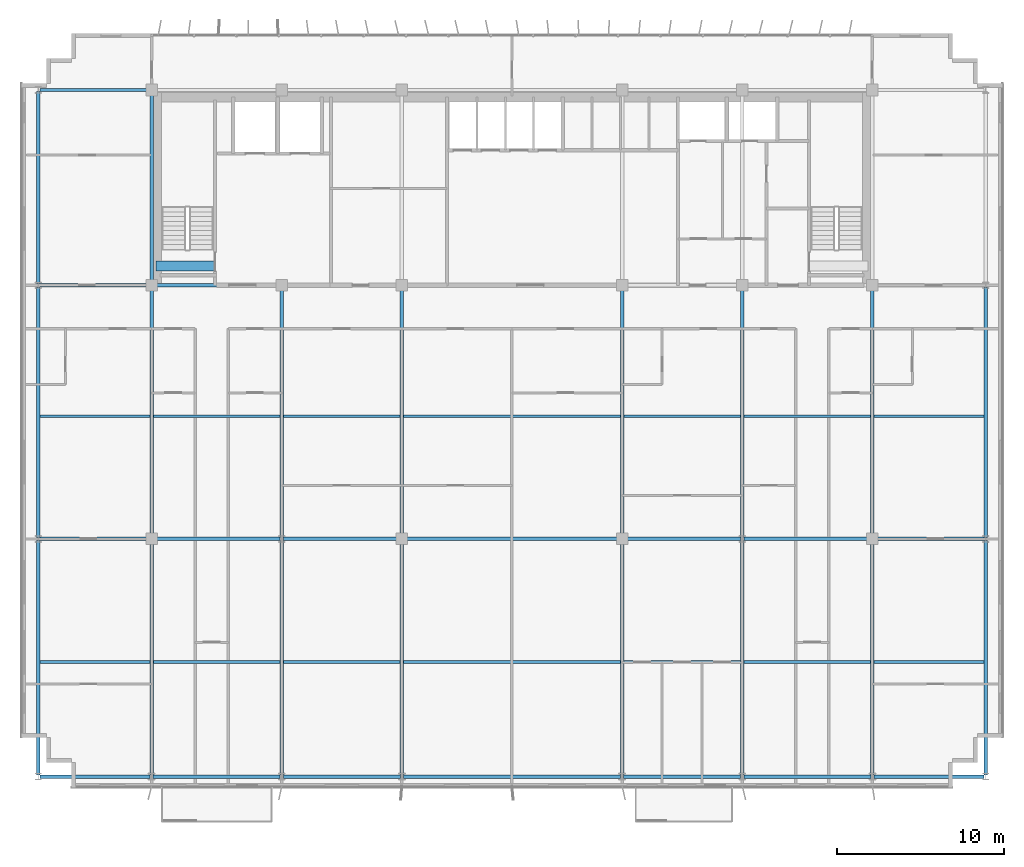
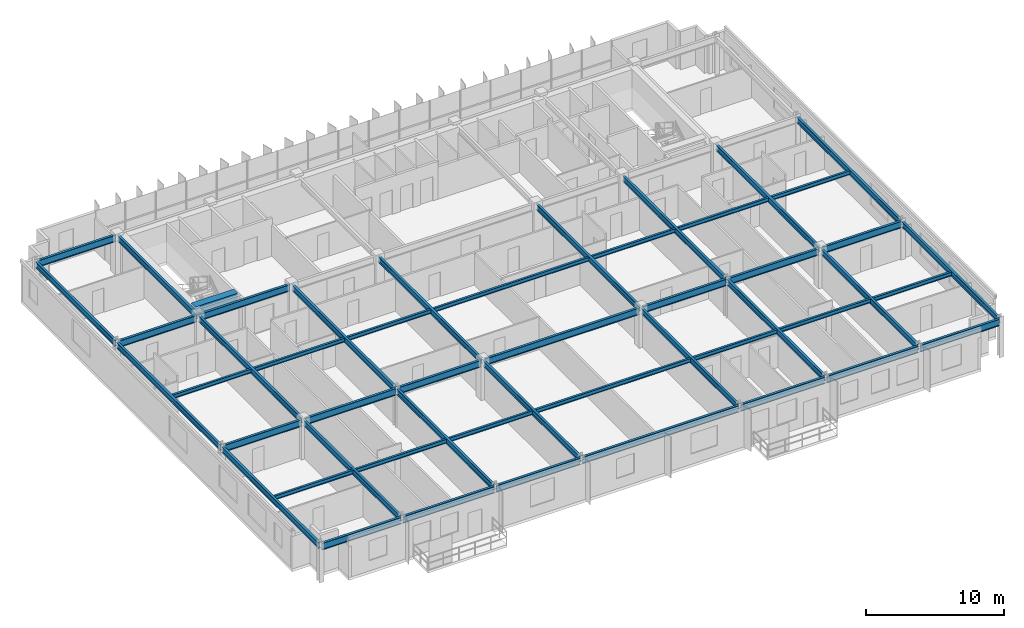
# One storey, part 3 of 20: 50 beams.
"""IFC4 building model written with IfcOpenShell, lengths in metres."""

import ifcopenshell
import ifcopenshell.guid

model = None  # the IFC model being written
_history = None  # IfcOwnerHistory: only IFC2X3 demands one
_inside = {}  # id of a spatial element -> (the spatial element, [elements in it])
_under = {}  # id of a project, library or spatial element -> (it, [spatial elements below it])
_declared = {}  # id of a project -> (the project, [libraries it declares])
_typed = {}  # id of a type object -> (the type object, [elements of that type])
_made_of = {}  # id of a material, layer set ... -> (it, [elements and type objects made of it])


def new_model(schema):
    """Start an empty IFC model of exactly this schema.

    Asked for "IFC4X3", IfcOpenShell would pick the latest addendum, in which some entities
    have other attributes; the version numbers below select the first issue.
    IFC2X3 requires an IfcOwnerHistory on every rooted entity: one is made here for all.
    """
    global model, _history
    if schema == "IFC4X3":
        model = ifcopenshell.file(schema_version=(4, 3, 0, 0))
    else:
        model = ifcopenshell.file(schema=schema)
    _inside.clear()
    _under.clear()
    _declared.clear()
    _typed.clear()
    _made_of.clear()
    _history = None
    if model.schema == "IFC2X3":
        org = make("IfcOrganization", Name="unknown")
        user = make(
            "IfcPersonAndOrganization",
            ThePerson=make("IfcPerson", FamilyName="unknown"),
            TheOrganization=org,
        )
        app = make(
            "IfcApplication",
            ApplicationDeveloper=org,
            Version="unknown",
            ApplicationFullName="unknown",
            ApplicationIdentifier="unknown",
        )
        _history = make(
            "IfcOwnerHistory",
            OwningUser=user,
            OwningApplication=app,
            ChangeAction="ADDED",
            CreationDate=0,
        )
    return model


def make(cls, **values):
    """One entity of the class cls with the attributes given. An attribute that is None is left unset."""
    return model.create_entity(
        cls, **{name: value for name, value in values.items() if value is not None}
    )


def rooted(cls, **values):
    """An entity with a GlobalId (a new one), such as an element, a storey or a relation."""
    return make(cls, GlobalId=ifcopenshell.guid.new(), OwnerHistory=_history, **values)


def si_unit(unit_type, name, prefix=None):
    """IfcSIUnit, for example si_unit("LENGTHUNIT", "METRE", prefix="MILLI")."""
    return make("IfcSIUnit", UnitType=unit_type, Prefix=prefix, Name=name)


def assignment(units):
    """IfcUnitAssignment: the units of a project."""
    return None if units is None else make("IfcUnitAssignment", Units=units)


def point(xyz):
    """IfcCartesianPoint."""
    return None if xyz is None else make("IfcCartesianPoint", Coordinates=xyz)


def direction(xyz):
    """IfcDirection."""
    return None if xyz is None else make("IfcDirection", DirectionRatios=xyz)


def frame(location, z_axis=None, x_axis=None):
    """IfcAxis2Placement3D, a coordinate frame: its origin and axes. An axis left out is left unset."""
    return make(
        "IfcAxis2Placement3D",
        Location=point(location),
        Axis=direction(z_axis),
        RefDirection=direction(x_axis),
    )


def frame_2d(location, x_axis=None):
    """IfcAxis2Placement2D, a coordinate frame in the plane: its origin and x axis."""
    return make(
        "IfcAxis2Placement2D", Location=point(location), RefDirection=direction(x_axis)
    )


def origin():
    """The frame at (0, 0, 0) with its axes left unset."""
    return frame((0.0, 0.0, 0.0))


def origin_2d():
    """The frame at (0, 0) in the plane with its x axis left unset."""
    return frame_2d((0.0, 0.0))


def place(relative_to, where):
    """IfcLocalPlacement: puts the frame where relative to a parent placement (None: the world)."""
    return make(
        "IfcLocalPlacement", PlacementRelTo=relative_to, RelativePlacement=where
    )


def context(
    kind, dimensions, precision=None, world=None, true_north=None, identifier=None
):
    """IfcGeometricRepresentationContext, for example the 3D "Model" context."""
    return make(
        "IfcGeometricRepresentationContext",
        ContextIdentifier=identifier,
        ContextType=kind,
        CoordinateSpaceDimension=dimensions,
        Precision=precision,
        WorldCoordinateSystem=world,
        TrueNorth=true_north,
    )


def subcontext(parent, identifier, kind, view, scale=None):
    """IfcGeometricRepresentationSubContext, for example "Body" below "Model"."""
    return make(
        "IfcGeometricRepresentationSubContext",
        ContextIdentifier=identifier,
        ContextType=kind,
        ParentContext=parent,
        TargetScale=scale,
        TargetView=view,
    )


def project(units=None, contexts=None):
    """IfcProject with its units and contexts."""
    return rooted(
        "IfcProject",
        Name="project",
        RepresentationContexts=contexts,
        UnitsInContext=assignment(units),
    )


def spatial(cls, under=None, at=None, **own):
    """A site, building, storey or space (cls), placed at a placement, below another one or the project."""
    s = rooted(cls, ObjectPlacement=at, **own)
    if under is not None:
        _under.setdefault(under.id(), (under, []))[1].append(s)
    return s


def profile(cls, at=None, kind="AREA", **sizes):
    """A parametric profile (cls). Its sizes go by their IFC names, for example OverallWidth=200.0."""
    return make(cls, ProfileType=kind, Position=at, **sizes)


def rectangle(**sizes):
    """IfcRectangleProfileDef."""
    return profile("IfcRectangleProfileDef", **sizes)


def i_section(**sizes):
    """IfcIShapeProfileDef."""
    return profile("IfcIShapeProfileDef", **sizes)


def extrude(swept, where, along, depth):
    """IfcExtrudedAreaSolid: the profile swept, set in the frame where, extruded along a direction by depth."""
    return make(
        "IfcExtrudedAreaSolid",
        SweptArea=swept,
        Position=where,
        ExtrudedDirection=direction(along),
        Depth=depth,
    )


def shape(context_of_items, identifier, shape_type, items):
    """IfcShapeRepresentation: the items that make up one representation, for example the "Body"."""
    return make(
        "IfcShapeRepresentation",
        ContextOfItems=context_of_items,
        RepresentationIdentifier=identifier,
        RepresentationType=shape_type,
        Items=items,
    )


def source(mapping_origin, context_of_items, identifier, shape_type, items):
    """IfcRepresentationMap: a shape defined once, which mapped items show again and again."""
    return make(
        "IfcRepresentationMap",
        MappingOrigin=mapping_origin,
        MappedRepresentation=shape(context_of_items, identifier, shape_type, items),
    )


def transform(
    local_origin,
    x_axis=None,
    y_axis=None,
    z_axis=None,
    scale=None,
    scale2=None,
    scale3=None,
    uniform=True,
):
    """IfcCartesianTransformationOperator3D, or its non-uniform kind. x_axis, y_axis, z_axis: its Axis1, 2, 3."""
    if uniform:
        return make(
            "IfcCartesianTransformationOperator3D",
            Axis1=direction(x_axis),
            Axis2=direction(y_axis),
            LocalOrigin=point(local_origin),
            Scale=scale,
            Axis3=direction(z_axis),
        )
    return make(
        "IfcCartesianTransformationOperator3DnonUniform",
        Axis1=direction(x_axis),
        Axis2=direction(y_axis),
        LocalOrigin=point(local_origin),
        Scale=scale,
        Axis3=direction(z_axis),
        Scale2=scale2,
        Scale3=scale3,
    )


def mapped(mapping_source, mapping_target):
    """IfcMappedItem: shows the shape of a source again, moved by a transform."""
    return make(
        "IfcMappedItem", MappingSource=mapping_source, MappingTarget=mapping_target
    )


def material(Name=None, Category=None):
    """IfcMaterial."""
    return make("IfcMaterial", Name=Name, Category=Category)


def material_profile(
    of_material, cross_section, Name=None, Category=None, Priority=None
):
    """IfcMaterialProfile: a cross section and its material."""
    return make(
        "IfcMaterialProfile",
        Name=Name,
        Material=of_material,
        Profile=cross_section,
        Priority=Priority,
        Category=Category,
    )


def profile_set(profiles, Name=None, composite=None):
    """IfcMaterialProfileSet."""
    return make(
        "IfcMaterialProfileSet",
        Name=Name,
        MaterialProfiles=profiles,
        CompositeProfile=composite,
    )


def made_of(thing, what):
    """Note that an element or type object is made of a material, layer set ...; save() writes the relation."""
    if what is not None:
        _made_of.setdefault(what.id(), (what, []))[1].append(thing)
    return thing


def type_object(cls, material=None, **own):
    """A type object (cls), such as IfcWallType, which elements share."""
    return made_of(rooted(cls, **own), material)


def element(
    cls,
    number,
    at=None,
    inside=None,
    cuts=None,
    type_object=None,
    material=None,
    context=None,
    identifier="Body",
    shape_type=None,
    held_by="IfcProductDefinitionShape",
    body=None,
    shapes=None,
    **own,
):
    """One element of the class cls, such as IfcWall. Its Tag is "e" and its number.

    at: its placement. inside: the storey or other place that contains it. cuts: it is an
    opening in that element (IfcRelVoidsElement). A single representation is given by context,
    identifier, shape_type and body (its items); several are given by shapes. held_by: the class
    of the entity that holds the representations. save() writes the other relations.
    """
    e = rooted(cls, Tag="e%d" % number, ObjectPlacement=at, **own)
    if body is not None:
        shapes = [shape(context, identifier, shape_type, body)]
    if shapes is not None:
        e.Representation = make(held_by, Representations=shapes)
    if inside is not None:
        _inside.setdefault(inside.id(), (inside, []))[1].append(e)
    if cuts is not None:
        rooted(
            "IfcRelVoidsElement", RelatingBuildingElement=cuts, RelatedOpeningElement=e
        )
    if type_object is not None:
        _typed.setdefault(type_object.id(), (type_object, []))[1].append(e)
    return made_of(e, material)


def aggregate(whole, parts):
    """IfcRelAggregates: a whole, such as a stair, and the parts it consists of."""
    return rooted("IfcRelAggregates", RelatingObject=whole, RelatedObjects=parts)


def save(model, path):
    """Write the relations noted so far, then the file.

    IfcRelAggregates (storeys below a building ...), IfcRelContainedInSpatialStructure (elements
    in a storey), IfcRelDefinesByType, IfcRelAssociatesMaterial and IfcRelDeclares: one each for
    every whole, place, type object, material and project.
    """
    for whole, parts in _under.values():
        aggregate(whole, parts)
    for where, things in _inside.values():
        rooted(
            "IfcRelContainedInSpatialStructure",
            RelatedElements=things,
            RelatingStructure=where,
        )
    for kind, things in _typed.values():
        rooted("IfcRelDefinesByType", RelatedObjects=things, RelatingType=kind)
    for what, things in _made_of.values():
        rooted("IfcRelAssociatesMaterial", RelatedObjects=things, RelatingMaterial=what)
    for by, libraries in _declared.values():
        rooted("IfcRelDeclares", RelatingContext=by, RelatedDefinitions=libraries)
    model.write(path)


model = new_model("IFC4")

# Units and contexts
model_context = context("Model", 3, precision=1e-05, world=origin(), true_north=direction((0.0, 1.0)))
body_context = subcontext(model_context, "Body", "Model", "MODEL_VIEW")
ifc_project = project(units=[si_unit("LENGTHUNIT", "METRE"), si_unit("AREAUNIT", "SQUARE_METRE"), si_unit("VOLUMEUNIT", "CUBIC_METRE"), si_unit("PLANEANGLEUNIT", "RADIAN"), si_unit("MASSUNIT", "GRAM", prefix="KILO")], contexts=[model_context])

# Site, building, storey
site_placement = place(None, origin())
site = spatial("IfcSite", under=ifc_project, at=site_placement, CompositionType="ELEMENT")
building_placement = place(site_placement, origin())
building = spatial("IfcBuilding", under=site, at=building_placement, Name="Trelvane Seafront Commons", CompositionType="ELEMENT")
storey_placement = place(building_placement, frame((0.0, 0.0, 168.10009765625)))
storey = spatial("IfcBuildingStorey", under=building, at=storey_placement, Name="L44", CompositionType="ELEMENT", Elevation=168.10009765625)

# Beams
ifc_material_1 = material(Name="Concrete C60/75", Category="concrete")
ifc_material_profile_1 = material_profile(ifc_material_1, rectangle(XDim=0.60009765625, YDim=0.89990234375, at=origin_2d()), Name="RC-600x900")
ifc_profile_set_1 = profile_set([ifc_material_profile_1], Name="Concrete C60/75")
beam_type_1 = type_object("IfcBeamType", Name="STR-LNT-RC600x900", PredefinedType="LINTEL", material=ifc_profile_set_1)
shared_shape_1 = source(origin(), body_context, "Body", "SweptSolid", [
    extrude(rectangle(XDim=0.60009765625, YDim=0.89990234375, at=origin_2d()), origin(), (0.0, 0.0, 1.0), 3.5498046875),
])
beam_1_placement = place(storey_placement, frame((15.85009765625, 34.550048828125, 2.89990234375), z_axis=(1.0, 0.0, 0.0), x_axis=(0.0, 1.0, 0.0)))
element("IfcBeam", 1, at=beam_1_placement, inside=storey, type_object=beam_type_1, Name="L44 Core Coupling Lintel Beam CB-67", PredefinedType="LINTEL", context=body_context, shape_type="MappedRepresentation", body=[
    mapped(shared_shape_1, transform((0.0, 0.0, 0.0), x_axis=(1.0, 0.0, 0.0), y_axis=(0.0, 1.0, 0.0), z_axis=(0.0, 0.0, 1.0), scale=1.0)),
])
ifc_material_2 = material(Name="Steel SM355 (S355)", Category="steel")
ifc_material_profile_2 = material_profile(ifc_material_2, i_section(OverallWidth=0.199951171875, OverallDepth=0.5, WebThickness=0.010009765625, FlangeThickness=0.01611328125, at=origin_2d()), Name="H-500x200x10x16")
ifc_profile_set_2 = profile_set([ifc_material_profile_2], Name="Steel SM355 (S355)")
beam_type_2 = type_object("IfcBeamType", Name="STR-BM-H500", PredefinedType="BEAM", material=ifc_profile_set_2)
shared_shape_2 = source(origin(), body_context, "Body", "SweptSolid", [
    extrude(i_section(OverallWidth=0.199951171875, OverallDepth=0.5, WebThickness=0.010009765625, FlangeThickness=0.01611328125, at=origin_2d()), origin(), (0.0, 0.0, 1.0), 14.89990234375),
])
for number, where, z_axis, x_axis, name in (
    (2, (15.60009765625, 18.35009765625, 3.099853515625), (0.0, 1.0, 0.0), (-1.0, 0.0, 0.0), "L44 Primary Girder G-33"),
    (3, (30.60009765625, 18.35009765625, 3.099853515625), (0.0, 1.0, 0.0), (-1.0, 0.0, 0.0), "L44 Primary Girder G-39"),
    (4, (43.800048828125, 18.35009765625, 3.099853515625), (0.0, 1.0, 0.0), (-1.0, 0.0, 0.0), "L44 Primary Girder G-42"),
    (5, (58.800048828125, 18.35009765625, 3.099853515625), (0.0, 1.0, 0.0), (-1.0, 0.0, 0.0), "L44 Primary Girder G-48"),
):
    element("IfcBeam", number, at=place(storey_placement, frame(where, z_axis=z_axis, x_axis=x_axis)), inside=storey, type_object=beam_type_2, Name=name, PredefinedType="BEAM", context=body_context, shape_type="MappedRepresentation", body=[
        mapped(shared_shape_2, transform((0.0, 0.0, 0.0), x_axis=(1.0, 0.0, 0.0), y_axis=(0.0, 1.0, 0.0), z_axis=(0.0, 0.0, 1.0), scale=1.0)),
    ])
shared_shape_3 = source(origin(), body_context, "Body", "SweptSolid", [
    extrude(i_section(OverallWidth=0.199951171875, OverallDepth=0.5, WebThickness=0.010009765625, FlangeThickness=0.01611328125, at=origin_2d()), origin(), (0.0, 0.0, 1.0), 11.39990234375),
])
beam_2_placement = place(storey_placement, frame((15.60009765625, 33.550048828125, 3.099853515625), z_axis=(0.0, 1.0, 0.0), x_axis=(-1.0, 0.0, 0.0)))
element("IfcBeam", 6, at=beam_2_placement, inside=storey, type_object=beam_type_2, Name="L44 Primary Girder G-34", PredefinedType="BEAM", context=body_context, shape_type="MappedRepresentation", body=[
    mapped(shared_shape_3, transform((0.0, 0.0, 0.0), x_axis=(1.0, 0.0, 0.0), y_axis=(0.0, 1.0, 0.0), z_axis=(0.0, 0.0, 1.0), scale=1.0)),
])
ifc_material_profile_3 = material_profile(ifc_material_2, i_section(OverallWidth=0.175048828125, OverallDepth=0.35009765625, WebThickness=0.007080078125, FlangeThickness=0.010986328125, at=origin_2d()), Name="H-350x175x7x11")
ifc_profile_set_3 = profile_set([ifc_material_profile_3], Name="Steel SM355 (S355)")
beam_type_3 = type_object("IfcBeamType", Name="STR-JST-H350", PredefinedType="JOIST", material=ifc_profile_set_3)
shared_shape_4 = source(origin(), body_context, "Body", "SweptSolid", [
    extrude(i_section(OverallWidth=0.175048828125, OverallDepth=0.35009765625, WebThickness=0.007080078125, FlangeThickness=0.010986328125, at=origin_2d()), origin(), (0.0, 0.0, 1.0), 6.60009765625),
])
for number, where, z_axis, x_axis, name in (
    (7, (8.89990234375, 10.824951171875, 3.1748046875), (1.0, 0.0, 0.0), (0.0, 1.0, 0.0), "L44 Secondary Floor Joist B-53"),
    (8, (58.89990234375, 10.824951171875, 3.1748046875), (1.0, 0.0, 0.0), (0.0, 1.0, 0.0), "L44 Secondary Floor Joist B-59"),
    (9, (8.89990234375, 25.550048828125, 3.1748046875), (1.0, 0.0, 0.0), (0.0, 1.0, 0.0), "L44 Secondary Floor Joist B-60"),
    (10, (58.89990234375, 25.550048828125, 3.1748046875), (1.0, 0.0, 0.0), (0.0, 1.0, 0.0), "L44 Secondary Floor Joist B-66"),
):
    element("IfcBeam", number, at=place(storey_placement, frame(where, z_axis=z_axis, x_axis=x_axis)), inside=storey, type_object=beam_type_3, Name=name, PredefinedType="JOIST", context=body_context, shape_type="MappedRepresentation", body=[
        mapped(shared_shape_4, transform((0.0, 0.0, 0.0), x_axis=(1.0, 0.0, 0.0), y_axis=(0.0, 1.0, 0.0), z_axis=(0.0, 0.0, 1.0), scale=1.0)),
    ])
shared_shape_5 = source(origin(), body_context, "Body", "SweptSolid", [
    extrude(i_section(OverallWidth=0.175048828125, OverallDepth=0.35009765625, WebThickness=0.007080078125, FlangeThickness=0.010986328125, at=origin_2d()), origin(), (0.0, 0.0, 1.0), 7.60009765625),
])
for number, where, z_axis, x_axis, name in (
    (11, (15.699951171875, 10.824951171875, 3.1748046875), (1.0, 0.0, 0.0), (0.0, 1.0, 0.0), "L44 Secondary Floor Joist B-54"),
    (12, (15.699951171875, 25.550048828125, 3.1748046875), (1.0, 0.0, 0.0), (0.0, 1.0, 0.0), "L44 Secondary Floor Joist B-61"),
):
    element("IfcBeam", number, at=place(storey_placement, frame(where, z_axis=z_axis, x_axis=x_axis)), inside=storey, type_object=beam_type_3, Name=name, PredefinedType="JOIST", context=body_context, shape_type="MappedRepresentation", body=[
        mapped(shared_shape_5, transform((0.0, 0.0, 0.0), x_axis=(1.0, 0.0, 0.0), y_axis=(0.0, 1.0, 0.0), z_axis=(0.0, 0.0, 1.0), scale=1.0)),
    ])
shared_shape_6 = source(origin(), body_context, "Body", "SweptSolid", [
    extrude(i_section(OverallWidth=0.175048828125, OverallDepth=0.35009765625, WebThickness=0.007080078125, FlangeThickness=0.010986328125, at=origin_2d()), origin(), (0.0, 0.0, 1.0), 7.0),
])
for number, where, z_axis, x_axis, name in (
    (13, (23.5, 10.824951171875, 3.1748046875), (1.0, 0.0, 0.0), (0.0, 1.0, 0.0), "L44 Secondary Floor Joist B-55"),
    (14, (43.89990234375, 10.824951171875, 3.1748046875), (1.0, 0.0, 0.0), (0.0, 1.0, 0.0), "L44 Secondary Floor Joist B-57"),
    (15, (23.5, 25.550048828125, 3.1748046875), (1.0, 0.0, 0.0), (0.0, 1.0, 0.0), "L44 Secondary Floor Joist B-62"),
    (16, (43.89990234375, 25.550048828125, 3.1748046875), (1.0, 0.0, 0.0), (0.0, 1.0, 0.0), "L44 Secondary Floor Joist B-64"),
):
    element("IfcBeam", number, at=place(storey_placement, frame(where, z_axis=z_axis, x_axis=x_axis)), inside=storey, type_object=beam_type_3, Name=name, PredefinedType="JOIST", context=body_context, shape_type="MappedRepresentation", body=[
        mapped(shared_shape_6, transform((0.0, 0.0, 0.0), x_axis=(1.0, 0.0, 0.0), y_axis=(0.0, 1.0, 0.0), z_axis=(0.0, 0.0, 1.0), scale=1.0)),
    ])
shared_shape_7 = source(origin(), body_context, "Body", "SweptSolid", [
    extrude(i_section(OverallWidth=0.175048828125, OverallDepth=0.35009765625, WebThickness=0.007080078125, FlangeThickness=0.010986328125, at=origin_2d()), origin(), (0.0, 0.0, 1.0), 13.0),
])
for number, where, z_axis, x_axis, name in (
    (17, (30.699951171875, 10.824951171875, 3.1748046875), (1.0, 0.0, 0.0), (0.0, 1.0, 0.0), "L44 Secondary Floor Joist B-56"),
    (18, (30.699951171875, 25.550048828125, 3.1748046875), (1.0, 0.0, 0.0), (0.0, 1.0, 0.0), "L44 Secondary Floor Joist B-63"),
):
    element("IfcBeam", number, at=place(storey_placement, frame(where, z_axis=z_axis, x_axis=x_axis)), inside=storey, type_object=beam_type_3, Name=name, PredefinedType="JOIST", context=body_context, shape_type="MappedRepresentation", body=[
        mapped(shared_shape_7, transform((0.0, 0.0, 0.0), x_axis=(1.0, 0.0, 0.0), y_axis=(0.0, 1.0, 0.0), z_axis=(0.0, 0.0, 1.0), scale=1.0)),
    ])
shared_shape_8 = source(origin(), body_context, "Body", "SweptSolid", [
    extrude(i_section(OverallWidth=0.175048828125, OverallDepth=0.35009765625, WebThickness=0.007080078125, FlangeThickness=0.010986328125, at=origin_2d()), origin(), (0.0, 0.0, 1.0), 7.599853515625),
])
for number, where, z_axis, x_axis, name in (
    (19, (51.10009765625, 10.824951171875, 3.1748046875), (1.0, 0.0, 0.0), (0.0, 1.0, 0.0), "L44 Secondary Floor Joist B-58"),
    (20, (51.10009765625, 25.550048828125, 3.1748046875), (1.0, 0.0, 0.0), (0.0, 1.0, 0.0), "L44 Secondary Floor Joist B-65"),
):
    element("IfcBeam", number, at=place(storey_placement, frame(where, z_axis=z_axis, x_axis=x_axis)), inside=storey, type_object=beam_type_3, Name=name, PredefinedType="JOIST", context=body_context, shape_type="MappedRepresentation", body=[
        mapped(shared_shape_8, transform((0.0, 0.0, 0.0), x_axis=(1.0, 0.0, 0.0), y_axis=(0.0, 1.0, 0.0), z_axis=(0.0, 0.0, 1.0), scale=1.0)),
    ])
ifc_material_profile_4 = material_profile(ifc_material_2, i_section(OverallWidth=0.199951171875, OverallDepth=0.60009765625, WebThickness=0.010986328125, FlangeThickness=0.01708984375, at=origin_2d()), Name="H-600x200x11x17")
ifc_profile_set_4 = profile_set([ifc_material_profile_4], Name="Steel SM355 (S355)")
beam_type_4 = type_object("IfcBeamType", Name="STR-SPD-H600", PredefinedType="SPANDREL", material=ifc_profile_set_4)
shared_shape_9 = source(origin(), body_context, "Body", "SweptSolid", [
    extrude(i_section(OverallWidth=0.199951171875, OverallDepth=0.60009765625, WebThickness=0.010986328125, FlangeThickness=0.01708984375, at=origin_2d()), origin(), (0.0, 0.0, 1.0), 6.60986328125),
])
for number, where, z_axis, x_axis, name in (
    (21, (8.89501953125, 3.949951171875, 3.0498046875), (1.0, 0.0, 0.0), (0.0, 1.0, 0.0), "L44 Primary Girder G-01"),
    (22, (58.89501953125, 3.949951171875, 3.0498046875), (1.0, 0.0, 0.0), (0.0, 1.0, 0.0), "L44 Primary Girder G-07"),
):
    element("IfcBeam", number, at=place(storey_placement, frame(where, z_axis=z_axis, x_axis=x_axis)), inside=storey, type_object=beam_type_4, Name=name, PredefinedType="SPANDREL", context=body_context, shape_type="MappedRepresentation", body=[
        mapped(shared_shape_9, transform((0.0, 0.0, 0.0), x_axis=(1.0, 0.0, 0.0), y_axis=(0.0, 1.0, 0.0), z_axis=(0.0, 0.0, 1.0), scale=1.0)),
    ])
shared_shape_10 = source(origin(), body_context, "Body", "SweptSolid", [
    extrude(i_section(OverallWidth=0.199951171875, OverallDepth=0.60009765625, WebThickness=0.010986328125, FlangeThickness=0.01708984375, at=origin_2d()), origin(), (0.0, 0.0, 1.0), 7.60986328125),
])
beam_3_placement = place(storey_placement, frame((15.695068359375, 3.949951171875, 3.0498046875), z_axis=(1.0, 0.0, 0.0), x_axis=(0.0, 1.0, 0.0)))
element("IfcBeam", 23, at=beam_3_placement, inside=storey, type_object=beam_type_4, Name="L44 Primary Girder G-02", PredefinedType="SPANDREL", context=body_context, shape_type="MappedRepresentation", body=[
    mapped(shared_shape_10, transform((0.0, 0.0, 0.0), x_axis=(1.0, 0.0, 0.0), y_axis=(0.0, 1.0, 0.0), z_axis=(0.0, 0.0, 1.0), scale=1.0)),
])
shared_shape_11 = source(origin(), body_context, "Body", "SweptSolid", [
    extrude(i_section(OverallWidth=0.199951171875, OverallDepth=0.60009765625, WebThickness=0.010986328125, FlangeThickness=0.01708984375, at=origin_2d()), origin(), (0.0, 0.0, 1.0), 7.009765625),
])
beam_4_placement = place(storey_placement, frame((23.4951171875, 3.949951171875, 3.0498046875), z_axis=(1.0, 0.0, 0.0), x_axis=(0.0, 1.0, 0.0)))
element("IfcBeam", 24, at=beam_4_placement, inside=storey, type_object=beam_type_4, Name="L44 Primary Girder G-03", PredefinedType="SPANDREL", context=body_context, shape_type="MappedRepresentation", body=[
    mapped(shared_shape_11, transform((0.0, 0.0, 0.0), x_axis=(1.0, 0.0, 0.0), y_axis=(0.0, 1.0, 0.0), z_axis=(0.0, 0.0, 1.0), scale=1.0)),
])
shared_shape_12 = source(origin(), body_context, "Body", "SweptSolid", [
    extrude(i_section(OverallWidth=0.199951171875, OverallDepth=0.60009765625, WebThickness=0.010986328125, FlangeThickness=0.01708984375, at=origin_2d()), origin(), (0.0, 0.0, 1.0), 13.010009765625),
])
beam_5_placement = place(storey_placement, frame((30.695068359375, 3.949951171875, 3.0498046875), z_axis=(1.0, 0.0, 0.0), x_axis=(0.0, 1.0, 0.0)))
element("IfcBeam", 25, at=beam_5_placement, inside=storey, type_object=beam_type_4, Name="L44 Primary Girder G-04", PredefinedType="SPANDREL", context=body_context, shape_type="MappedRepresentation", body=[
    mapped(shared_shape_12, transform((0.0, 0.0, 0.0), x_axis=(1.0, 0.0, 0.0), y_axis=(0.0, 1.0, 0.0), z_axis=(0.0, 0.0, 1.0), scale=1.0)),
])
shared_shape_13 = source(origin(), body_context, "Body", "SweptSolid", [
    extrude(i_section(OverallWidth=0.199951171875, OverallDepth=0.60009765625, WebThickness=0.010986328125, FlangeThickness=0.01708984375, at=origin_2d()), origin(), (0.0, 0.0, 1.0), 7.010009765625),
])
beam_6_placement = place(storey_placement, frame((43.89501953125, 3.949951171875, 3.0498046875), z_axis=(1.0, 0.0, 0.0), x_axis=(0.0, 1.0, 0.0)))
element("IfcBeam", 26, at=beam_6_placement, inside=storey, type_object=beam_type_4, Name="L44 Primary Girder G-05", PredefinedType="SPANDREL", context=body_context, shape_type="MappedRepresentation", body=[
    mapped(shared_shape_13, transform((0.0, 0.0, 0.0), x_axis=(1.0, 0.0, 0.0), y_axis=(0.0, 1.0, 0.0), z_axis=(0.0, 0.0, 1.0), scale=1.0)),
])
shared_shape_14 = source(origin(), body_context, "Body", "SweptSolid", [
    extrude(i_section(OverallWidth=0.199951171875, OverallDepth=0.60009765625, WebThickness=0.010986328125, FlangeThickness=0.01708984375, at=origin_2d()), origin(), (0.0, 0.0, 1.0), 7.610107421875),
])
beam_7_placement = place(storey_placement, frame((51.094970703125, 3.949951171875, 3.0498046875), z_axis=(1.0, 0.0, 0.0), x_axis=(0.0, 1.0, 0.0)))
element("IfcBeam", 27, at=beam_7_placement, inside=storey, type_object=beam_type_4, Name="L44 Primary Girder G-06", PredefinedType="SPANDREL", context=body_context, shape_type="MappedRepresentation", body=[
    mapped(shared_shape_14, transform((0.0, 0.0, 0.0), x_axis=(1.0, 0.0, 0.0), y_axis=(0.0, 1.0, 0.0), z_axis=(0.0, 0.0, 1.0), scale=1.0)),
])
shared_shape_15 = source(origin(), body_context, "Body", "SweptSolid", [
    extrude(i_section(OverallWidth=0.199951171875, OverallDepth=0.60009765625, WebThickness=0.010986328125, FlangeThickness=0.01708984375, at=origin_2d()), origin(), (0.0, 0.0, 1.0), 6.554931640625),
])
for number, where, z_axis, x_axis, name in (
    (28, (8.89501953125, 18.199951171875, 3.0498046875), (1.0, 0.0, 0.0), (0.0, 1.0, 0.0), "L44 Primary Girder G-08"),
    (29, (58.949951171875, 18.199951171875, 3.0498046875), (1.0, 0.0, 0.0), (0.0, 1.0, 0.0), "L44 Primary Girder G-14"),
    (30, (8.89501953125, 33.39990234375, 3.0498046875), (1.0, 0.0, 0.0), (0.0, 1.0, 0.0), "L44 Primary Girder G-15"),
    (31, (8.89501953125, 45.10009765625, 3.0498046875), (1.0, 0.0, 0.0), (0.0, 1.0, 0.0), "L44 Primary Girder G-22"),
):
    element("IfcBeam", number, at=place(storey_placement, frame(where, z_axis=z_axis, x_axis=x_axis)), inside=storey, type_object=beam_type_4, Name=name, PredefinedType="SPANDREL", context=body_context, shape_type="MappedRepresentation", body=[
        mapped(shared_shape_15, transform((0.0, 0.0, 0.0), x_axis=(1.0, 0.0, 0.0), y_axis=(0.0, 1.0, 0.0), z_axis=(0.0, 0.0, 1.0), scale=1.0)),
    ])
shared_shape_16 = source(origin(), body_context, "Body", "SweptSolid", [
    extrude(i_section(OverallWidth=0.199951171875, OverallDepth=0.60009765625, WebThickness=0.010986328125, FlangeThickness=0.01708984375, at=origin_2d()), origin(), (0.0, 0.0, 1.0), 7.554931640625),
])
for number, where, z_axis, x_axis, name in (
    (32, (15.75, 18.199951171875, 3.0498046875), (1.0, 0.0, 0.0), (0.0, 1.0, 0.0), "L44 Primary Girder G-09"),
    (33, (51.094970703125, 18.199951171875, 3.0498046875), (1.0, 0.0, 0.0), (0.0, 1.0, 0.0), "L44 Primary Girder G-13"),
):
    element("IfcBeam", number, at=place(storey_placement, frame(where, z_axis=z_axis, x_axis=x_axis)), inside=storey, type_object=beam_type_4, Name=name, PredefinedType="SPANDREL", context=body_context, shape_type="MappedRepresentation", body=[
        mapped(shared_shape_16, transform((0.0, 0.0, 0.0), x_axis=(1.0, 0.0, 0.0), y_axis=(0.0, 1.0, 0.0), z_axis=(0.0, 0.0, 1.0), scale=1.0)),
    ])
shared_shape_17 = source(origin(), body_context, "Body", "SweptSolid", [
    extrude(i_section(OverallWidth=0.199951171875, OverallDepth=0.60009765625, WebThickness=0.010986328125, FlangeThickness=0.01708984375, at=origin_2d()), origin(), (0.0, 0.0, 1.0), 6.954833984375),
])
beam_8_placement = place(storey_placement, frame((23.4951171875, 18.199951171875, 3.0498046875), z_axis=(1.0, 0.0, 0.0), x_axis=(0.0, 1.0, 0.0)))
element("IfcBeam", 34, at=beam_8_placement, inside=storey, type_object=beam_type_4, Name="L44 Primary Girder G-10", PredefinedType="SPANDREL", context=body_context, shape_type="MappedRepresentation", body=[
    mapped(shared_shape_17, transform((0.0, 0.0, 0.0), x_axis=(1.0, 0.0, 0.0), y_axis=(0.0, 1.0, 0.0), z_axis=(0.0, 0.0, 1.0), scale=1.0)),
])
shared_shape_18 = source(origin(), body_context, "Body", "SweptSolid", [
    extrude(i_section(OverallWidth=0.199951171875, OverallDepth=0.60009765625, WebThickness=0.010986328125, FlangeThickness=0.01708984375, at=origin_2d()), origin(), (0.0, 0.0, 1.0), 12.89990234375),
])
beam_9_placement = place(storey_placement, frame((30.75, 18.199951171875, 3.0498046875), z_axis=(1.0, 0.0, 0.0), x_axis=(0.0, 1.0, 0.0)))
element("IfcBeam", 35, at=beam_9_placement, inside=storey, type_object=beam_type_4, Name="L44 Primary Girder G-11", PredefinedType="SPANDREL", context=body_context, shape_type="MappedRepresentation", body=[
    mapped(shared_shape_18, transform((0.0, 0.0, 0.0), x_axis=(1.0, 0.0, 0.0), y_axis=(0.0, 1.0, 0.0), z_axis=(0.0, 0.0, 1.0), scale=1.0)),
])
shared_shape_19 = source(origin(), body_context, "Body", "SweptSolid", [
    extrude(i_section(OverallWidth=0.199951171875, OverallDepth=0.60009765625, WebThickness=0.010986328125, FlangeThickness=0.01708984375, at=origin_2d()), origin(), (0.0, 0.0, 1.0), 6.955078125),
])
beam_10_placement = place(storey_placement, frame((43.949951171875, 18.199951171875, 3.0498046875), z_axis=(1.0, 0.0, 0.0), x_axis=(0.0, 1.0, 0.0)))
element("IfcBeam", 36, at=beam_10_placement, inside=storey, type_object=beam_type_4, Name="L44 Primary Girder G-12", PredefinedType="SPANDREL", context=body_context, shape_type="MappedRepresentation", body=[
    mapped(shared_shape_19, transform((0.0, 0.0, 0.0), x_axis=(1.0, 0.0, 0.0), y_axis=(0.0, 1.0, 0.0), z_axis=(0.0, 0.0, 1.0), scale=1.0)),
])
shared_shape_20 = source(origin(), body_context, "Body", "SweptSolid", [
    extrude(i_section(OverallWidth=0.199951171875, OverallDepth=0.60009765625, WebThickness=0.010986328125, FlangeThickness=0.01708984375, at=origin_2d()), origin(), (0.0, 0.0, 1.0), 7.5),
])
beam_11_placement = place(storey_placement, frame((15.75, 33.39990234375, 3.0498046875), z_axis=(1.0, 0.0, 0.0), x_axis=(0.0, 1.0, 0.0)))
element("IfcBeam", 37, at=beam_11_placement, inside=storey, type_object=beam_type_4, Name="L44 Primary Girder G-16", PredefinedType="SPANDREL", context=body_context, shape_type="MappedRepresentation", body=[
    mapped(shared_shape_20, transform((0.0, 0.0, 0.0), x_axis=(1.0, 0.0, 0.0), y_axis=(0.0, 1.0, 0.0), z_axis=(0.0, 0.0, 1.0), scale=1.0)),
])
shared_shape_21 = source(origin(), body_context, "Body", "SweptSolid", [
    extrude(i_section(OverallWidth=0.199951171875, OverallDepth=0.5, WebThickness=0.010009765625, FlangeThickness=0.01611328125, at=origin_2d()), origin(), (0.0, 0.0, 1.0), 14.06005859375),
])
for number, where, z_axis, x_axis, name in (
    (38, (8.800048828125, 4.044921875, 3.099853515625), (0.0, 1.0, 0.0), (-1.0, 0.0, 0.0), "L44 Primary Girder G-29"),
    (39, (23.39990234375, 4.044921875, 3.099853515625), (0.0, 1.0, 0.0), (-1.0, 0.0, 0.0), "L44 Primary Girder G-35"),
    (40, (51.0, 4.044921875, 3.099853515625), (0.0, 1.0, 0.0), (-1.0, 0.0, 0.0), "L44 Primary Girder G-44"),
    (41, (65.60009765625, 4.044921875, 3.099853515625), (0.0, 1.0, 0.0), (-1.0, 0.0, 0.0), "L44 Primary Girder G-50"),
):
    element("IfcBeam", number, at=place(storey_placement, frame(where, z_axis=z_axis, x_axis=x_axis)), inside=storey, type_object=beam_type_2, Name=name, PredefinedType="BEAM", context=body_context, shape_type="MappedRepresentation", body=[
        mapped(shared_shape_21, transform((0.0, 0.0, 0.0), x_axis=(1.0, 0.0, 0.0), y_axis=(0.0, 1.0, 0.0), z_axis=(0.0, 0.0, 1.0), scale=1.0)),
    ])
shared_shape_22 = source(origin(), body_context, "Body", "SweptSolid", [
    extrude(i_section(OverallWidth=0.199951171875, OverallDepth=0.5, WebThickness=0.010009765625, FlangeThickness=0.01611328125, at=origin_2d()), origin(), (0.0, 0.0, 1.0), 15.010009765625),
])
for number, where, z_axis, x_axis, name in (
    (42, (8.800048828125, 18.294921875, 3.099853515625), (0.0, 1.0, 0.0), (-1.0, 0.0, 0.0), "L44 Primary Girder G-30"),
    (43, (65.60009765625, 18.294921875, 3.099853515625), (0.0, 1.0, 0.0), (-1.0, 0.0, 0.0), "L44 Primary Girder G-51"),
):
    element("IfcBeam", number, at=place(storey_placement, frame(where, z_axis=z_axis, x_axis=x_axis)), inside=storey, type_object=beam_type_2, Name=name, PredefinedType="BEAM", context=body_context, shape_type="MappedRepresentation", body=[
        mapped(shared_shape_22, transform((0.0, 0.0, 0.0), x_axis=(1.0, 0.0, 0.0), y_axis=(0.0, 1.0, 0.0), z_axis=(0.0, 0.0, 1.0), scale=1.0)),
    ])
shared_shape_23 = source(origin(), body_context, "Body", "SweptSolid", [
    extrude(i_section(OverallWidth=0.199951171875, OverallDepth=0.5, WebThickness=0.010009765625, FlangeThickness=0.01611328125, at=origin_2d()), origin(), (0.0, 0.0, 1.0), 11.509765625),
])
beam_12_placement = place(storey_placement, frame((8.800048828125, 33.4951171875, 3.099853515625), z_axis=(0.0, 1.0, 0.0), x_axis=(-1.0, 0.0, 0.0)))
element("IfcBeam", 44, at=beam_12_placement, inside=storey, type_object=beam_type_2, Name="L44 Primary Girder G-31", PredefinedType="BEAM", context=body_context, shape_type="MappedRepresentation", body=[
    mapped(shared_shape_23, transform((0.0, 0.0, 0.0), x_axis=(1.0, 0.0, 0.0), y_axis=(0.0, 1.0, 0.0), z_axis=(0.0, 0.0, 1.0), scale=1.0)),
])
shared_shape_24 = source(origin(), body_context, "Body", "SweptSolid", [
    extrude(i_section(OverallWidth=0.199951171875, OverallDepth=0.5, WebThickness=0.010009765625, FlangeThickness=0.01611328125, at=origin_2d()), origin(), (0.0, 0.0, 1.0), 14.005126953125),
])
for number, where, z_axis, x_axis, name in (
    (45, (15.60009765625, 4.044921875, 3.099853515625), (0.0, 1.0, 0.0), (-1.0, 0.0, 0.0), "L44 Primary Girder G-32"),
    (46, (30.60009765625, 4.044921875, 3.099853515625), (0.0, 1.0, 0.0), (-1.0, 0.0, 0.0), "L44 Primary Girder G-38"),
    (47, (43.800048828125, 4.044921875, 3.099853515625), (0.0, 1.0, 0.0), (-1.0, 0.0, 0.0), "L44 Primary Girder G-41"),
    (48, (58.800048828125, 4.044921875, 3.099853515625), (0.0, 1.0, 0.0), (-1.0, 0.0, 0.0), "L44 Primary Girder G-47"),
):
    element("IfcBeam", number, at=place(storey_placement, frame(where, z_axis=z_axis, x_axis=x_axis)), inside=storey, type_object=beam_type_2, Name=name, PredefinedType="BEAM", context=body_context, shape_type="MappedRepresentation", body=[
        mapped(shared_shape_24, transform((0.0, 0.0, 0.0), x_axis=(1.0, 0.0, 0.0), y_axis=(0.0, 1.0, 0.0), z_axis=(0.0, 0.0, 1.0), scale=1.0)),
    ])
shared_shape_25 = source(origin(), body_context, "Body", "SweptSolid", [
    extrude(i_section(OverallWidth=0.199951171875, OverallDepth=0.5, WebThickness=0.010009765625, FlangeThickness=0.01611328125, at=origin_2d()), origin(), (0.0, 0.0, 1.0), 14.955078125),
])
for number, where, z_axis, x_axis, name in (
    (49, (23.39990234375, 18.294921875, 3.099853515625), (0.0, 1.0, 0.0), (-1.0, 0.0, 0.0), "L44 Primary Girder G-36"),
    (50, (51.0, 18.294921875, 3.099853515625), (0.0, 1.0, 0.0), (-1.0, 0.0, 0.0), "L44 Primary Girder G-45"),
):
    element("IfcBeam", number, at=place(storey_placement, frame(where, z_axis=z_axis, x_axis=x_axis)), inside=storey, type_object=beam_type_2, Name=name, PredefinedType="BEAM", context=body_context, shape_type="MappedRepresentation", body=[
        mapped(shared_shape_25, transform((0.0, 0.0, 0.0), x_axis=(1.0, 0.0, 0.0), y_axis=(0.0, 1.0, 0.0), z_axis=(0.0, 0.0, 1.0), scale=1.0)),
    ])

save(model, "model.ifc")
